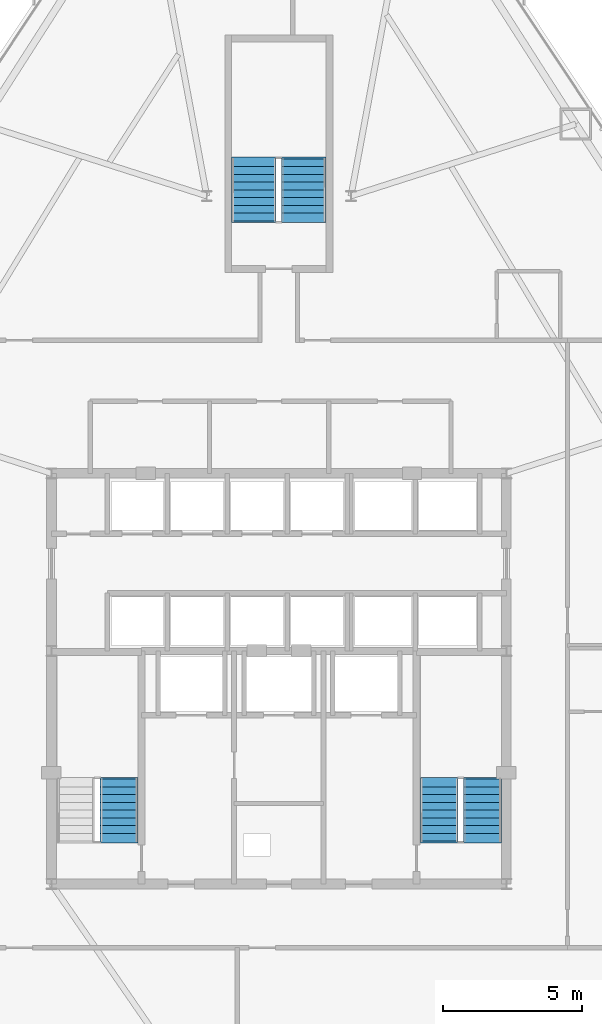
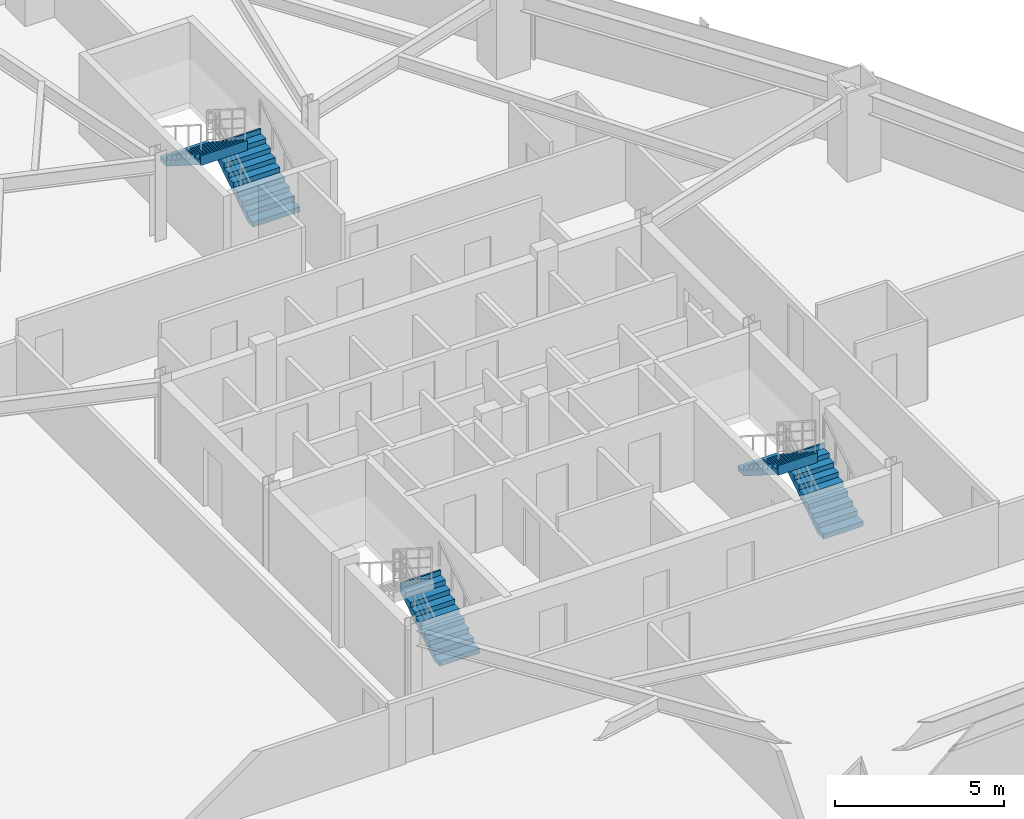
# One storey, part 11 of 12: 5 stair flights, 3 elements without a shape of their own.
"""IFC4 building model written with IfcOpenShell, lengths in metres."""

from ifc_helpers import new_model, si_unit, direction, frame, origin, place, context, subcontext, project, spatial, polyline, outline, extrude, material, type_object, element, aggregate, save


model = new_model("IFC4")

# Units and contexts
model_context = context("Model", 3, precision=1e-05, world=origin(), true_north=direction((0.0, 1.0)))
body_context = subcontext(model_context, "Body", "Model", "MODEL_VIEW")
ifc_project = project(units=[si_unit("LENGTHUNIT", "METRE"), si_unit("AREAUNIT", "SQUARE_METRE"), si_unit("VOLUMEUNIT", "CUBIC_METRE"), si_unit("PLANEANGLEUNIT", "RADIAN"), si_unit("MASSUNIT", "GRAM", prefix="KILO")], contexts=[model_context])

# Site, building, storey
site_placement = place(None, origin())
site = spatial("IfcSite", under=ifc_project, at=site_placement, CompositionType="ELEMENT")
building_placement = place(site_placement, origin())
building = spatial("IfcBuilding", under=site, at=building_placement, Name="Varakhsha Concourse Tower", CompositionType="ELEMENT")
storey_placement = place(building_placement, frame((0.0, 0.0, 65.60009765625)))
storey = spatial("IfcBuildingStorey", under=building, at=storey_placement, Name="L18", CompositionType="ELEMENT", Elevation=65.60009765625)

# Stair, stair flight
ifc_material = material(Name="Concrete fc 45 MPa", Category="concrete")
stair_type_1 = type_object("IfcStairType", Name="ST-DOGLEG-1360", PredefinedType="HALF_TURN_STAIR", material=ifc_material)
stair_1_placement = place(storey_placement, origin())
stair_1 = element("IfcStair", 1, at=stair_1_placement, inside=storey, type_object=stair_type_1, Name="L18 Protected Exit Stair ST1", PredefinedType="HALF_TURN_STAIR")
stair_flight_type_1 = type_object("IfcStairFlightType", Name="STF-1360-R1778", PredefinedType="STRAIGHT", material=ifc_material)
stair_flight_1_placement = place(storey_placement, frame((34.239990234375, 17.93994140625, 0.0), z_axis=(0.0, 0.0, 1.0), x_axis=(0.0, 1.0, 0.0)))
stair_flight_1 = element("IfcStairFlight", 2, at=stair_flight_1_placement, type_object=stair_flight_type_1, Name="ST1 flight 1", NumberOfRisers=9, NumberOfTreads=8, PredefinedType="STRAIGHT", RiserHeight=0.177777778, TreadLength=0.28, context=body_context, shape_type="SweptSolid", body=[
    extrude(outline(polyline([(-0.06005859375, 0.0), (-0.06005859375, 0.177734375), (0.0, 0.177734375), (0.280029296875, 0.177734375), (0.280029296875, 0.35546875), (0.56005859375, 0.35546875), (0.56005859375, 0.533447265625), (0.840087890625, 0.533447265625), (0.840087890625, 0.711181640625), (1.1201171875, 0.711181640625), (1.1201171875, 0.888916015625), (1.39990234375, 0.888916015625), (1.39990234375, 1.066650390625), (1.679931640625, 1.066650390625), (1.679931640625, 1.244384765625), (1.9599609375, 1.244384765625), (1.9599609375, 1.422119140625), (2.239990234375, 1.422119140625), (2.239990234375, 1.60009765625), (2.300048828125, 1.60009765625), (2.300048828125, 1.24462890625), (2.239990234375, 1.24462890625), (0.27978515625, 0.0), (-0.06005859375, 0.0)])), frame((0.0, 0.68017578125, 0.0), z_axis=(0.0, -1.0, 0.0), x_axis=(1.0, 0.0, 0.0)), (0.0, 0.0, 1.0), 1.360107421875),
])
aggregate(stair_1, [stair_flight_1])

# Stair, stair flights
stair_2_placement = place(storey_placement, origin())
stair_2 = element("IfcStair", 3, at=stair_2_placement, inside=storey, type_object=stair_type_1, Name="L18 Protected Exit Stair ST2", PredefinedType="HALF_TURN_STAIR")
stair_flight_2_placement = place(storey_placement, frame((47.340087890625, 17.93994140625, 0.0), z_axis=(0.0, 0.0, 1.0), x_axis=(0.0, 1.0, 0.0)))
stair_flight_2 = element("IfcStairFlight", 4, at=stair_flight_2_placement, type_object=stair_flight_type_1, Name="ST2 flight 1", NumberOfRisers=9, NumberOfTreads=8, PredefinedType="STRAIGHT", RiserHeight=0.177777778, TreadLength=0.28, context=body_context, shape_type="SweptSolid", body=[
    extrude(outline(polyline([(-0.06005859375, 0.0), (-0.06005859375, 0.177734375), (0.0, 0.177734375), (0.280029296875, 0.177734375), (0.280029296875, 0.35546875), (0.56005859375, 0.35546875), (0.56005859375, 0.533447265625), (0.840087890625, 0.533447265625), (0.840087890625, 0.711181640625), (1.1201171875, 0.711181640625), (1.1201171875, 0.888916015625), (1.39990234375, 0.888916015625), (1.39990234375, 1.066650390625), (1.679931640625, 1.066650390625), (1.679931640625, 1.244384765625), (1.9599609375, 1.244384765625), (1.9599609375, 1.422119140625), (2.239990234375, 1.422119140625), (2.239990234375, 1.60009765625), (2.300048828125, 1.60009765625), (2.300048828125, 1.24462890625), (2.239990234375, 1.24462890625), (0.27978515625, 0.0), (-0.06005859375, 0.0)])), frame((0.0, 0.68017578125, 0.0), z_axis=(0.0, -1.0, 0.0), x_axis=(1.0, 0.0, 0.0)), (0.0, 0.0, 1.0), 1.360107421875),
])
stair_flight_3_placement = place(storey_placement, frame((45.780029296875, 20.179931640625, 1.599853515625), z_axis=(0.0, 0.0, 1.0), x_axis=(0.0, -1.0, 0.0)))
stair_flight_3 = element("IfcStairFlight", 5, at=stair_flight_3_placement, type_object=stair_flight_type_1, Name="ST2 flight 2", NumberOfRisers=9, NumberOfTreads=8, PredefinedType="STRAIGHT", RiserHeight=0.177777778, TreadLength=0.28, context=body_context, shape_type="SweptSolid", body=[
    extrude(outline(polyline([(-0.06005859375, 0.0), (-0.06005859375, 0.177734375), (0.0, 0.177734375), (0.280029296875, 0.177734375), (0.280029296875, 0.35546875), (0.56005859375, 0.35546875), (0.56005859375, 0.533447265625), (0.840087890625, 0.533447265625), (0.840087890625, 0.711181640625), (1.1201171875, 0.711181640625), (1.1201171875, 0.888916015625), (1.39990234375, 0.888916015625), (1.39990234375, 1.066650390625), (1.679931640625, 1.066650390625), (1.679931640625, 1.244384765625), (1.9599609375, 1.244384765625), (1.9599609375, 1.422119140625), (2.239990234375, 1.422119140625), (2.239990234375, 1.60009765625), (2.300048828125, 1.60009765625), (2.300048828125, 1.24462890625), (2.239990234375, 1.24462890625), (0.27978515625, 0.0), (-0.06005859375, 0.0)])), frame((0.0, 0.68017578125, 0.0), z_axis=(0.0, -1.0, 0.0), x_axis=(1.0, 0.0, 0.0)), (0.0, 0.0, 1.0), 1.360107421875),
])
aggregate(stair_2, [stair_flight_2, stair_flight_3])

stair_type_2 = type_object("IfcStairType", Name="ST-DOGLEG-1600", PredefinedType="HALF_TURN_STAIR", material=ifc_material)
stair_3_placement = place(storey_placement, origin())
stair_3 = element("IfcStair", 6, at=stair_3_placement, inside=storey, type_object=stair_type_2, Name="L18 Protected Exit Stair ST5", PredefinedType="HALF_TURN_STAIR")
stair_flight_type_2 = type_object("IfcStairFlightType", Name="STF-1600-R1778", PredefinedType="STRAIGHT", material=ifc_material)
stair_flight_4_placement = place(storey_placement, frame((40.89990234375, 40.300048828125, 0.0), z_axis=(0.0, 0.0, 1.0), x_axis=(0.0, 1.0, 0.0)))
stair_flight_4 = element("IfcStairFlight", 7, at=stair_flight_4_placement, type_object=stair_flight_type_2, Name="ST5 flight 1", NumberOfRisers=9, NumberOfTreads=8, PredefinedType="STRAIGHT", RiserHeight=0.177777778, TreadLength=0.28, context=body_context, shape_type="SweptSolid", body=[
    extrude(outline(polyline([(-0.06005859375, 0.0), (-0.06005859375, 0.177734375), (0.0, 0.177734375), (0.280029296875, 0.177734375), (0.280029296875, 0.35546875), (0.56005859375, 0.35546875), (0.56005859375, 0.533447265625), (0.840087890625, 0.533447265625), (0.840087890625, 0.711181640625), (1.1201171875, 0.711181640625), (1.1201171875, 0.888916015625), (1.39990234375, 0.888916015625), (1.39990234375, 1.066650390625), (1.679931640625, 1.066650390625), (1.679931640625, 1.244384765625), (1.9599609375, 1.244384765625), (1.9599609375, 1.422119140625), (2.239990234375, 1.422119140625), (2.239990234375, 1.60009765625), (2.300048828125, 1.60009765625), (2.300048828125, 1.24462890625), (2.239990234375, 1.24462890625), (0.27978515625, 0.0), (-0.06005859375, 0.0)])), frame((0.0, 0.800048828125, 0.0), z_axis=(0.0, -1.0, 0.0), x_axis=(1.0, 0.0, 0.0)), (0.0, 0.0, 1.0), 1.60009765625),
])
stair_flight_5_placement = place(storey_placement, frame((39.10009765625, 42.5400390625, 1.599853515625), z_axis=(0.0, 0.0, 1.0), x_axis=(0.0, -1.0, 0.0)))
stair_flight_5 = element("IfcStairFlight", 8, at=stair_flight_5_placement, type_object=stair_flight_type_2, Name="ST5 flight 2", NumberOfRisers=9, NumberOfTreads=8, PredefinedType="STRAIGHT", RiserHeight=0.177777778, TreadLength=0.28, context=body_context, shape_type="SweptSolid", body=[
    extrude(outline(polyline([(-0.06005859375, 0.0), (-0.06005859375, 0.177734375), (0.0, 0.177734375), (0.280029296875, 0.177734375), (0.280029296875, 0.35546875), (0.56005859375, 0.35546875), (0.56005859375, 0.533447265625), (0.840087890625, 0.533447265625), (0.840087890625, 0.711181640625), (1.1201171875, 0.711181640625), (1.1201171875, 0.888916015625), (1.39990234375, 0.888916015625), (1.39990234375, 1.066650390625), (1.679931640625, 1.066650390625), (1.679931640625, 1.244384765625), (1.9599609375, 1.244384765625), (1.9599609375, 1.422119140625), (2.239990234375, 1.422119140625), (2.239990234375, 1.60009765625), (2.300048828125, 1.60009765625), (2.300048828125, 1.24462890625), (2.239990234375, 1.24462890625), (0.27978515625, 0.0), (-0.06005859375, 0.0)])), frame((0.0, 0.800048828125, 0.0), z_axis=(0.0, -1.0, 0.0), x_axis=(1.0, 0.0, 0.0)), (0.0, 0.0, 1.0), 1.60009765625),
])
aggregate(stair_3, [stair_flight_4, stair_flight_5])

save(model, "model.ifc")
